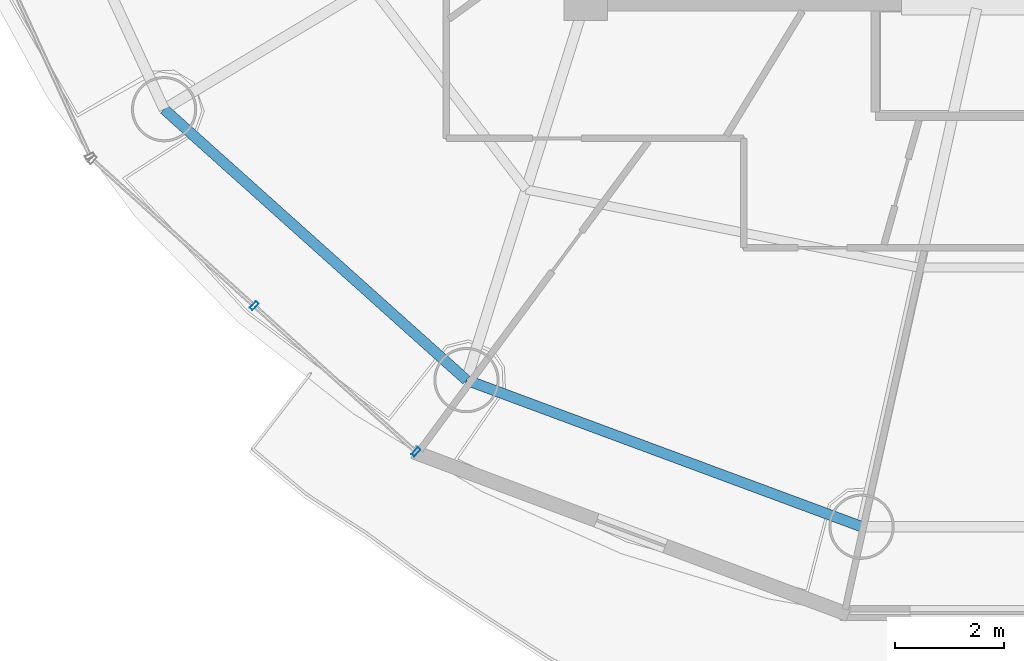
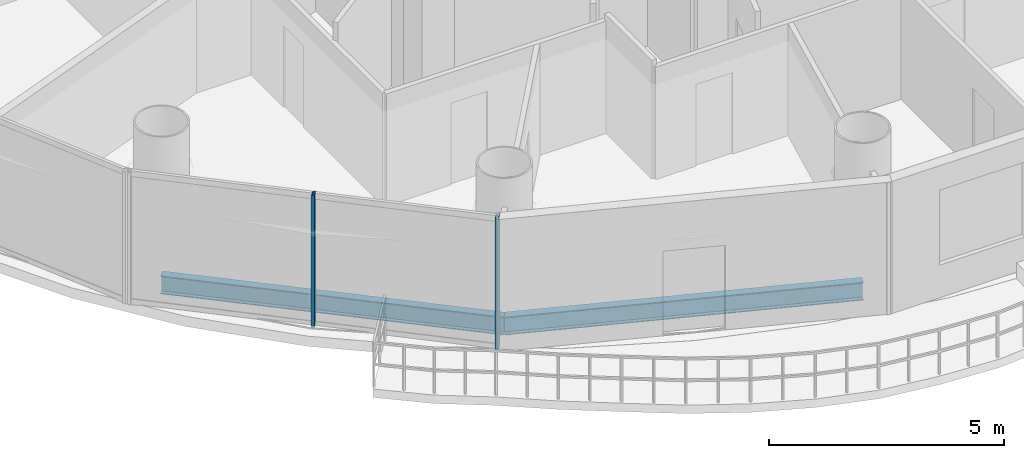
# One storey, part 2 of 26: 2 beams, 2 members, 1 element without a shape of its own.
"""IFC4 building model written with IfcOpenShell, lengths in metres."""

from ifc_helpers import new_model, si_unit, direction, frame, origin, origin_2d, place, context, subcontext, project, spatial, hollow_rectangle, i_section, extrude, source, transform, mapped, material, material_profile, profile_set, type_object, element, aggregate, save


model = new_model("IFC4")

# Units and contexts
model_context = context("Model", 3, precision=1e-05, world=origin(), true_north=direction((-0.2419218956, 0.970295726276)))
body_context = subcontext(model_context, "Body", "Model", "MODEL_VIEW")
ifc_project = project(units=[si_unit("LENGTHUNIT", "METRE"), si_unit("AREAUNIT", "SQUARE_METRE"), si_unit("VOLUMEUNIT", "CUBIC_METRE"), si_unit("PLANEANGLEUNIT", "RADIAN"), si_unit("MASSUNIT", "GRAM", prefix="KILO")], contexts=[model_context])

# Site, building, storey
site_placement = place(None, origin())
site = spatial("IfcSite", under=ifc_project, at=site_placement, CompositionType="ELEMENT")
building_placement = place(site_placement, origin())
building = spatial("IfcBuilding", under=site, at=building_placement, Name="Cobrevalo Terracotta Tower", CompositionType="ELEMENT")
storey_placement = place(building_placement, frame((0.0, 0.0, 206.0)))
storey = spatial("IfcBuildingStorey", under=building, at=storey_placement, Name="L54", CompositionType="ELEMENT", Elevation=206.0)

# Beams
ifc_material_1 = material(Name="Steel S355", Category="steel")
ifc_material_profile_1 = material_profile(ifc_material_1, i_section(OverallWidth=0.194091796875, OverallDepth=0.468994140625, WebThickness=0.011474609375, FlangeThickness=0.0205078125, at=origin_2d()), Name="W 460x106")
ifc_profile_set_1 = profile_set([ifc_material_profile_1], Name="Steel S355")
beam_type = type_object("IfcBeamType", Name="Structural Spandrel W 460x106 (Steel S355)", PredefinedType="SPANDREL", material=ifc_profile_set_1)
beam_1_placement = place(storey_placement, frame((21.245849609375, 16.77197265625, -0.49951171875), z_axis=(0.744851930997, -0.667229796165, 0.0), x_axis=(0.667229796165, 0.744851930997, 0.0)))
element("IfcBeam", 1, at=beam_1_placement, inside=storey, type_object=beam_type, Name="L54 perimeter ring spandrel 10", PredefinedType="SPANDREL", context=body_context, shape_type="SweptSolid", body=[
    extrude(i_section(OverallWidth=0.194091796875, OverallDepth=0.468994140625, WebThickness=0.011474609375, FlangeThickness=0.0205078125, at=origin_2d()), origin(), (0.0, 0.0, 1.0), 7.463623046875),
])
beam_2_placement = place(storey_placement, frame((26.80517578125, 11.7919921875, -0.49951171875), z_axis=(0.937545996665, -0.347861328892, 0.0), x_axis=(0.347861328892, 0.937545996665, 0.0)))
element("IfcBeam", 2, at=beam_2_placement, inside=storey, type_object=beam_type, Name="L54 perimeter ring spandrel 11", PredefinedType="SPANDREL", context=body_context, shape_type="SweptSolid", body=[
    extrude(i_section(OverallWidth=0.194091796875, OverallDepth=0.468994140625, WebThickness=0.011474609375, FlangeThickness=0.0205078125, at=origin_2d()), origin(), (0.0, 0.0, 1.0), 7.74755859375),
])

# Curtain wall, members
ifc_material_2 = material(Name="Anodized aluminium", Category="aluminium")
curtain_wall_type = type_object("IfcCurtainWallType", Name="Mid-tower high-wind unitised curtain wall CW-U2", PredefinedType="NOTDEFINED", material=ifc_material_2)
curtain_wall_placement = place(storey_placement, origin())
curtain_wall = element("IfcCurtainWall", 3, at=curtain_wall_placement, inside=storey, type_object=curtain_wall_type, Name="L54 curtain wall CW-L54-S10", PredefinedType="NOTDEFINED")
ifc_material_profile_2 = material_profile(ifc_material_2, hollow_rectangle(XDim=0.070068359375, YDim=0.169921875, WallThickness=0.00439453125, at=origin_2d()), Name="CWM 70x170")
ifc_profile_set_2 = profile_set([ifc_material_profile_2], Name="Anodized aluminium")
member_type = type_object("IfcMemberType", Name="Upper tower unitised mullion 70x170", PredefinedType="MULLION", material=ifc_profile_set_2)
shared_shape = source(origin(), body_context, "Body", "SweptSolid", [
    extrude(hollow_rectangle(XDim=0.070068359375, YDim=0.169921875, WallThickness=0.00439453125, at=origin_2d()), origin(), (0.0, 0.0, 1.0), 3.43505859375),
])
member_1_placement = place(storey_placement, frame((22.902099609375, 13.158447265625, 0.0), z_axis=(0.0, 0.0, 1.0), x_axis=(0.741987542015, -0.670413668935, 0.0)))
member_1 = element("IfcMember", 4, at=member_1_placement, type_object=member_type, Name="CW-L54-S10 vertical mullion 02", PredefinedType="MULLION", context=body_context, shape_type="MappedRepresentation", body=[
    mapped(shared_shape, transform((0.0, 0.0, 0.0), scale=1.0)),
])
member_2_placement = place(storey_placement, frame((25.87548828125, 10.471923828125, 0.0), z_axis=(0.0, 0.0, 1.0), x_axis=(0.741987542015, -0.670413668935, 0.0)))
member_2 = element("IfcMember", 5, at=member_2_placement, type_object=member_type, Name="CW-L54-S10 vertical mullion 03", PredefinedType="MULLION", context=body_context, shape_type="MappedRepresentation", body=[
    mapped(shared_shape, transform((0.0, 0.0, 0.0), scale=1.0)),
])
aggregate(curtain_wall, [member_1, member_2])

save(model, "model.ifc")
